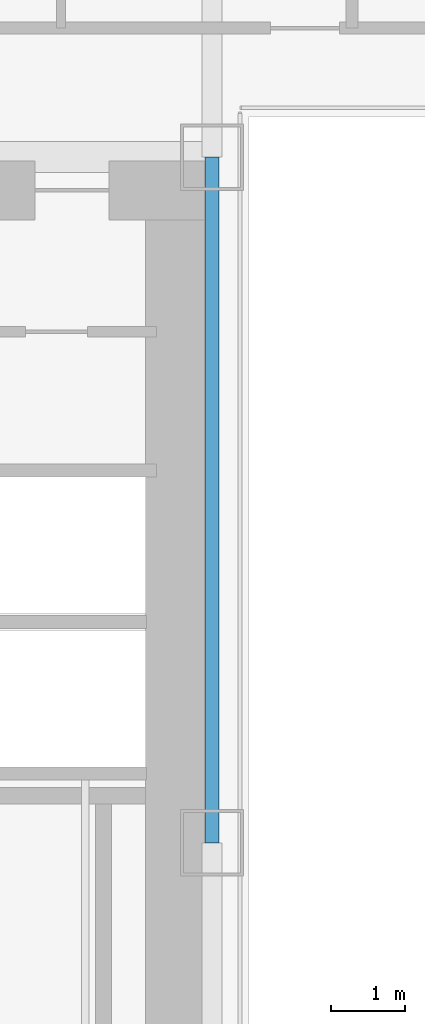
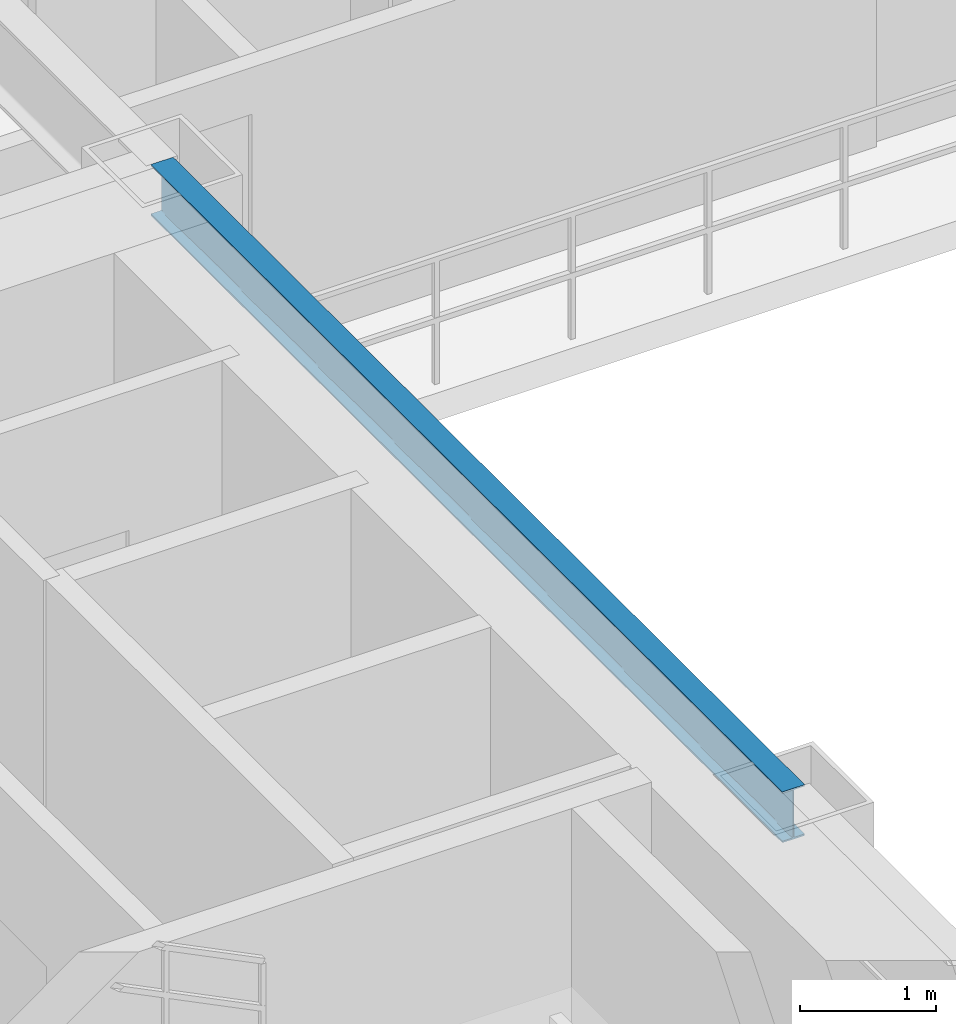
# One storey, part 9 of 35: 1 beam.
"""IFC4 building model written with IfcOpenShell, lengths in metres."""

from ifc_helpers import new_model, si_unit, direction, frame, origin, origin_2d, place, context, subcontext, project, spatial, i_section, extrude, source, transform, mapped, material, material_profile, profile_set, type_object, element, save


model = new_model("IFC4")

# Units and contexts
model_context = context("Model", 3, precision=1e-05, world=origin(), true_north=direction((0.0, 1.0)))
body_context = subcontext(model_context, "Body", "Model", "MODEL_VIEW")
ifc_project = project(units=[si_unit("LENGTHUNIT", "METRE"), si_unit("AREAUNIT", "SQUARE_METRE"), si_unit("VOLUMEUNIT", "CUBIC_METRE"), si_unit("PLANEANGLEUNIT", "RADIAN"), si_unit("MASSUNIT", "GRAM", prefix="KILO")], contexts=[model_context])

# Site, building, storey
site_placement = place(None, origin())
site = spatial("IfcSite", under=ifc_project, at=site_placement, CompositionType="ELEMENT")
building_placement = place(site_placement, origin())
building = spatial("IfcBuilding", under=site, at=building_placement, Name="Ocotamira Hotel", CompositionType="ELEMENT")
storey_placement = place(building_placement, frame((0.0, 0.0, 49.199951171875)))
storey = spatial("IfcBuildingStorey", under=building, at=storey_placement, Name="L11", CompositionType="ELEMENT", Elevation=49.199951171875)

# Beam
ifc_material = material(Name="Steel ASTM A992 Grade 50", Category="steel")
ifc_material_profile = material_profile(ifc_material, i_section(OverallWidth=0.18994140625, OverallDepth=0.45703125, WebThickness=0.009033203125, FlangeThickness=0.014404296875, FilletRadius=0.010009765625, at=origin_2d()), Name="W18X50")
ifc_profile_set = profile_set([ifc_material_profile], Name="Steel ASTM A992 Grade 50")
beam_type = type_object("IfcBeamType", Name="BM-SEC-W18X50", PredefinedType="JOIST", material=ifc_profile_set)
shared_shape = source(origin(), body_context, "Body", "SweptSolid", [
    extrude(i_section(OverallWidth=0.18994140625, OverallDepth=0.45703125, WebThickness=0.009033203125, FlangeThickness=0.014404296875, FilletRadius=0.010009765625, at=origin_2d()), origin(), (0.0, 0.0, 1.0), 9.300048828125),
])
beam_placement = place(storey_placement, frame((23.5, 28.14990234375, 3.12158203125), z_axis=(0.0, 1.0, 0.0), x_axis=(-1.0, 0.0, 0.0)))
element("IfcBeam", 1, at=beam_placement, inside=storey, type_object=beam_type, Name="L11 Beam X23.5 Y28.15-37.45", PredefinedType="JOIST", context=body_context, shape_type="MappedRepresentation", body=[
    mapped(shared_shape, transform((0.0, 0.0, 0.0), scale=1.0)),
])

save(model, "model.ifc")
